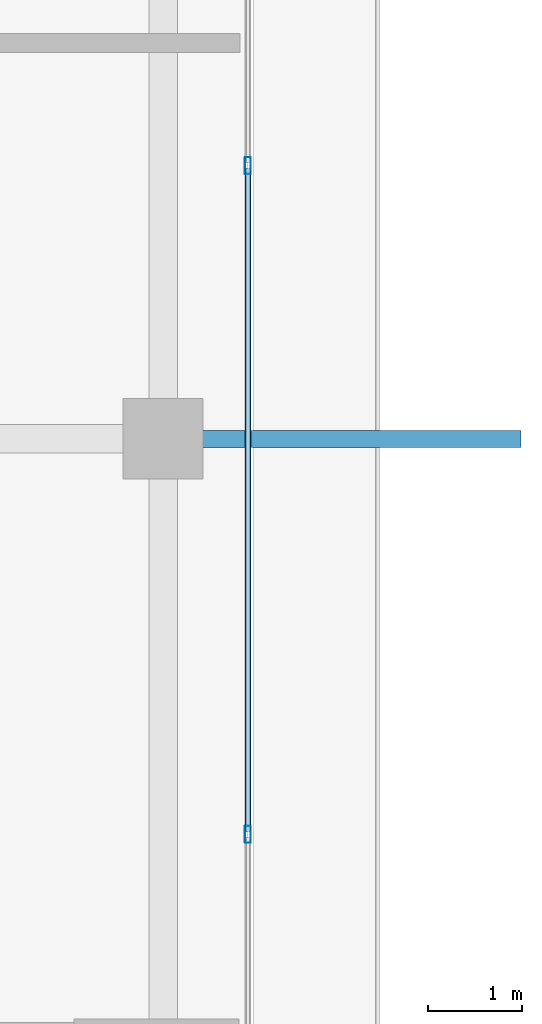
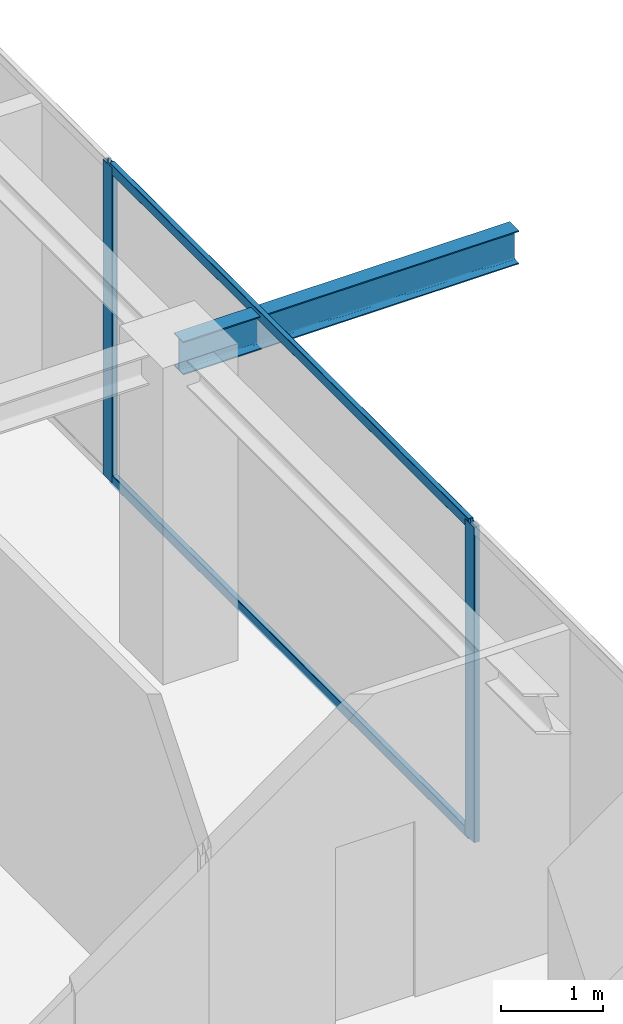
# One storey, part 15 of 36: 4 members, 1 beam, 1 element without a shape of its own.
"""IFC4 building model written with IfcOpenShell, lengths in metres."""

from ifc_helpers import new_model, si_unit, direction, frame, origin, origin_2d, place, context, subcontext, project, spatial, hollow_rectangle, i_section, extrude, source, transform, mapped, material, layer, layer_set, material_profile, profile_set, type_object, element, aggregate, save


model = new_model("IFC4")

# Units and contexts
model_context = context("Model", 3, precision=1e-05, world=origin(), true_north=direction((0.0, 1.0)))
body_context = subcontext(model_context, "Body", "Model", "MODEL_VIEW")
ifc_project = project(units=[si_unit("LENGTHUNIT", "METRE"), si_unit("AREAUNIT", "SQUARE_METRE"), si_unit("VOLUMEUNIT", "CUBIC_METRE"), si_unit("PLANEANGLEUNIT", "RADIAN"), si_unit("MASSUNIT", "GRAM", prefix="KILO")], contexts=[model_context])

# Site, building, storey
site_placement = place(None, origin())
site = spatial("IfcSite", under=ifc_project, at=site_placement, CompositionType="ELEMENT")
building_placement = place(site_placement, origin())
building = spatial("IfcBuilding", under=site, at=building_placement, Name="Serunith Strait Residences", CompositionType="ELEMENT")
storey_placement = place(building_placement, frame((0.0, 0.0, 338.0)))
storey = spatial("IfcBuildingStorey", under=building, at=storey_placement, Name="L84", CompositionType="ELEMENT", Elevation=338.0)

# Beam
ifc_material_1 = material(Name="Steel S355J2", Category="steel")
ifc_material_profile_1 = material_profile(ifc_material_1, i_section(OverallWidth=0.179931640625, OverallDepth=0.39990234375, WebThickness=0.008544921875, FlangeThickness=0.013427734375, FilletRadius=0.02099609375, at=origin_2d()), Name="IPE 400")
ifc_profile_set_1 = profile_set([ifc_material_profile_1], Name="Steel S355J2")
beam_type = type_object("IfcBeamType", Name="BM-IPE400", PredefinedType="JOIST", material=ifc_profile_set_1)
shared_shape_1 = source(origin(), body_context, "Body", "SweptSolid", [
    extrude(i_section(OverallWidth=0.179931640625, OverallDepth=0.39990234375, WebThickness=0.008544921875, FlangeThickness=0.013427734375, FilletRadius=0.02099609375, at=origin_2d()), origin(), (0.0, 0.0, 1.0), 3.7998046875),
])
beam_placement = place(storey_placement, frame((53.10009765625, 29.39990234375, 3.556884765625), z_axis=(1.0, 0.0, 0.0), x_axis=(0.0, 1.0, 0.0)))
element("IfcBeam", 1, at=beam_placement, inside=storey, type_object=beam_type, Name="L85 Cantilevered Balcony Rib TC-E3", PredefinedType="JOIST", context=body_context, shape_type="MappedRepresentation", body=[
    mapped(shared_shape_1, transform((0.0, 0.0, 0.0), scale=1.0)),
])

# Curtain wall, members
ifc_material_2 = material(Name="Brushed Stainless-Silver Aluminium", Category="aluminium")
ifc_layer = layer(ifc_material_2, 0.199951171875, Name="Brushed Stainless-Silver Aluminium")
ifc_layer_set = layer_set([ifc_layer], Name="Brushed Stainless-Silver Aluminium")
curtain_wall_type = type_object("IfcCurtainWallType", Name="CW-SYS5", PredefinedType="NOTDEFINED", material=ifc_layer_set)
curtain_wall_placement = place(storey_placement, origin())
curtain_wall = element("IfcCurtainWall", 2, at=curtain_wall_placement, inside=storey, type_object=curtain_wall_type, Name="L84 E Unitised Fritted Curtain Wall", PredefinedType="NOTDEFINED")
ifc_material_profile_2 = material_profile(ifc_material_2, hollow_rectangle(XDim=0.06494140625, YDim=0.179931640625, WallThickness=0.00341796875, InnerFilletRadius=0.00537109375, OuterFilletRadius=0.0087890625, at=origin_2d()), Name="ALU 180x65x3.5")
ifc_profile_set_2 = profile_set([ifc_material_profile_2], Name="Brushed Stainless-Silver Aluminium")
member_type_1 = type_object("IfcMemberType", Name="CW-SYS5-MULL", PredefinedType="MULLION", material=ifc_profile_set_2)
shared_shape_2 = source(origin(), body_context, "Body", "SweptSolid", [
    extrude(hollow_rectangle(XDim=0.06494140625, YDim=0.179931640625, WallThickness=0.00341796875, InnerFilletRadius=0.00537109375, OuterFilletRadius=0.0087890625, at=origin_2d()), origin(), (0.0, 0.0, 1.0), 3.77490234375),
])
member_1_placement = place(storey_placement, frame((54.0, 25.199951171875, 0.0), z_axis=(0.0, 0.0, 1.0), x_axis=(-1.0, 0.0, 0.0)))
member_1 = element("IfcMember", 3, at=member_1_placement, type_object=member_type_1, Name="CW-5 mullion 3", PredefinedType="MULLION", context=body_context, shape_type="MappedRepresentation", body=[
    mapped(shared_shape_2, transform((0.0, 0.0, 0.0), scale=1.0)),
])
member_2_placement = place(storey_placement, frame((54.0, 32.300048828125, 0.0), z_axis=(0.0, 0.0, 1.0), x_axis=(-1.0, 0.0, 0.0)))
member_2 = element("IfcMember", 4, at=member_2_placement, type_object=member_type_1, Name="CW-5 mullion 4", PredefinedType="MULLION", context=body_context, shape_type="MappedRepresentation", body=[
    mapped(shared_shape_2, transform((0.0, 0.0, 0.0), scale=1.0)),
])
ifc_material_profile_3 = material_profile(ifc_material_2, hollow_rectangle(XDim=0.06005859375, YDim=0.1201171875, WallThickness=0.00341796875, InnerFilletRadius=0.00537109375, OuterFilletRadius=0.0087890625, at=origin_2d()), Name="ALU 120x60x3.5")
ifc_profile_set_3 = profile_set([ifc_material_profile_3], Name="Brushed Stainless-Silver Aluminium")
member_type_2 = type_object("IfcMemberType", Name="CW-SYS5-TRAN", PredefinedType="USERDEFINED", material=ifc_profile_set_3)
shared_shape_3 = source(origin(), body_context, "Body", "SweptSolid", [
    extrude(hollow_rectangle(XDim=0.06005859375, YDim=0.1201171875, WallThickness=0.00341796875, InnerFilletRadius=0.00537109375, OuterFilletRadius=0.0087890625, at=origin_2d()), origin(), (0.0, 0.0, 1.0), 7.03515625),
])
member_3_placement = place(storey_placement, frame((54.0, 25.232421875, 0.030029296875), z_axis=(0.0, 1.0, 0.0), x_axis=(-1.0, 0.0, 0.0)))
member_3 = element("IfcMember", 5, at=member_3_placement, type_object=member_type_2, Name="CW-5 transom 3.1", ObjectType="TRANSOM", PredefinedType="USERDEFINED", context=body_context, shape_type="MappedRepresentation", body=[
    mapped(shared_shape_3, transform((0.0, 0.0, 0.0), scale=1.0)),
])
member_4_placement = place(storey_placement, frame((54.0, 25.232421875, 3.7451171875), z_axis=(0.0, 1.0, 0.0), x_axis=(-1.0, 0.0, 0.0)))
member_4 = element("IfcMember", 6, at=member_4_placement, type_object=member_type_2, Name="CW-5 transom 3.2", ObjectType="TRANSOM", PredefinedType="USERDEFINED", context=body_context, shape_type="MappedRepresentation", body=[
    mapped(shared_shape_3, transform((0.0, 0.0, 0.0), scale=1.0)),
])
aggregate(curtain_wall, [member_1, member_2, member_3, member_4])

save(model, "model.ifc")
